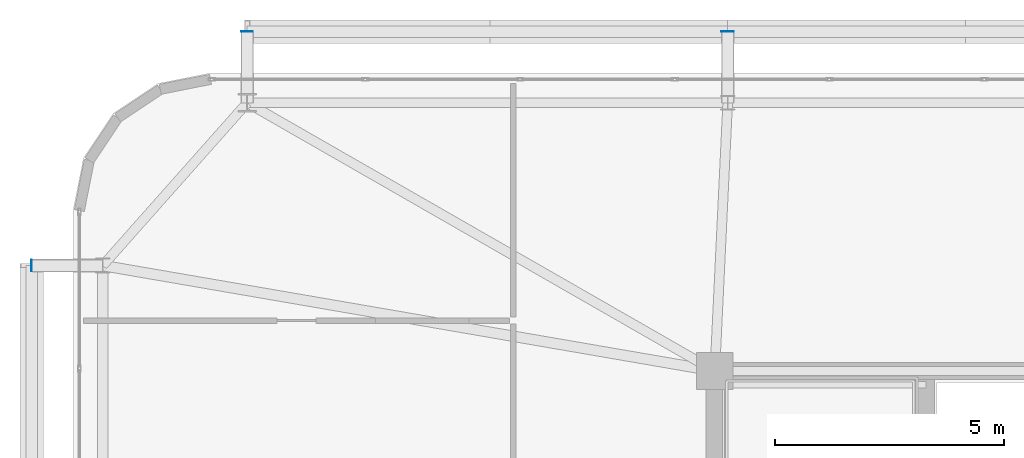
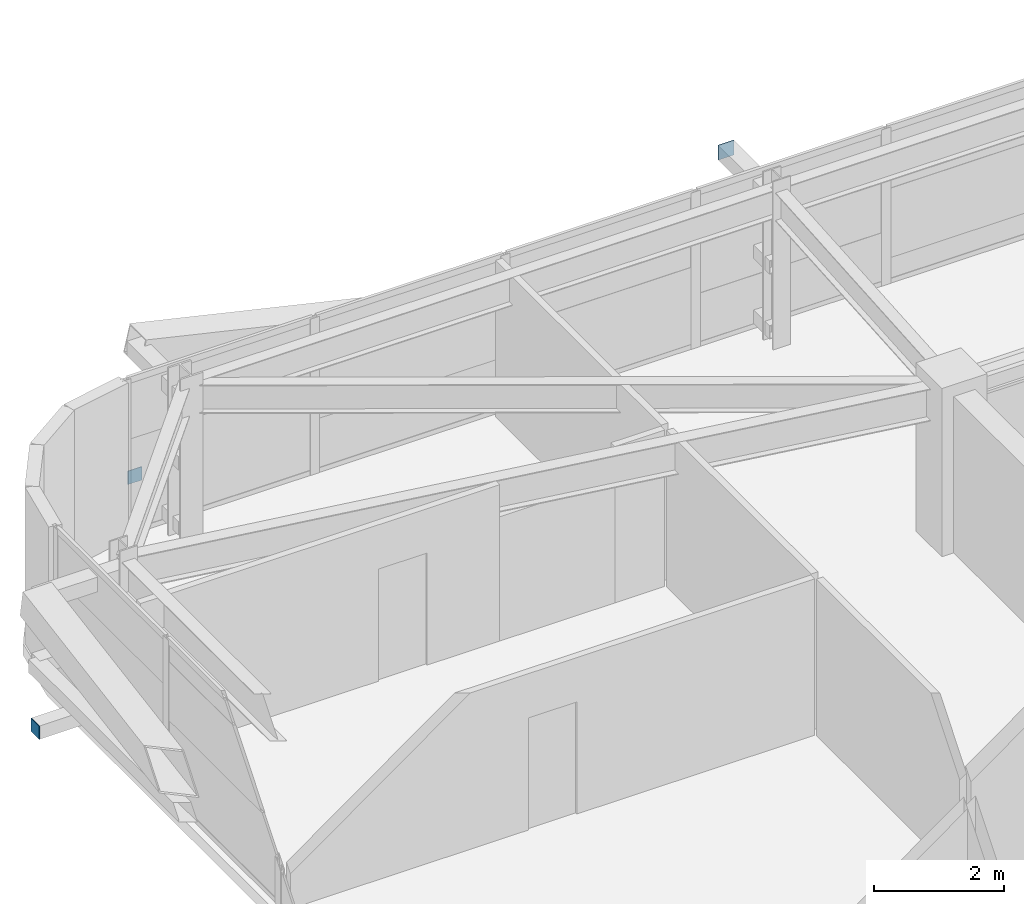
# One storey, part 49 of 59: 3 plates.
"""IFC4 building model written with IfcOpenShell, lengths in metres."""

from ifc_helpers import new_model, si_unit, direction, frame, origin, origin_2d, place, context, subcontext, project, spatial, rectangle, extrude, source, transform, mapped, material, layer, layer_set, type_object, element, save


model = new_model("IFC4")

# Units and contexts
model_context = context("Model", 3, precision=1e-05, world=origin(), true_north=direction((0.0, 1.0)))
body_context = subcontext(model_context, "Body", "Model", "MODEL_VIEW")
ifc_project = project(units=[si_unit("LENGTHUNIT", "METRE"), si_unit("AREAUNIT", "SQUARE_METRE"), si_unit("VOLUMEUNIT", "CUBIC_METRE"), si_unit("PLANEANGLEUNIT", "RADIAN"), si_unit("MASSUNIT", "GRAM", prefix="KILO")], contexts=[model_context])

# Site, building, storey
site_placement = place(None, origin())
site = spatial("IfcSite", under=ifc_project, at=site_placement, CompositionType="ELEMENT")
building_placement = place(site_placement, origin())
building = spatial("IfcBuilding", under=site, at=building_placement, Name="Taldren Reach Tower", CompositionType="ELEMENT")
storey_placement = place(building_placement, frame((0.0, 0.0, 19.949951171875)))
storey = spatial("IfcBuildingStorey", under=building, at=storey_placement, Name="L05", CompositionType="ELEMENT", Elevation=19.949951171875)

# Plates
ifc_material_1 = material(Name="Steel Gr 450 (C450L0)", Category="steel")
ifc_layer_1 = layer(ifc_material_1, 0.011962890625)
ifc_layer_set_1 = layer_set([ifc_layer_1], Name="Steel Gr 450 (C450L0)")
plate_type_1 = type_object("IfcPlateType", Name="PL-CAP-275", PredefinedType="SHEET", material=ifc_layer_set_1)
shared_shape_1 = source(origin(), body_context, "Body", "SweptSolid", [
    extrude(rectangle(XDim=0.27490234375, YDim=0.011962890625, at=origin_2d()), origin(), (0.0, 0.0, 1.0), 0.27490234375),
])
plate_1_placement = place(storey_placement, frame((19.280029296875, 39.406005859375, 2.5126953125), z_axis=(0.0, 0.0, 1.0), x_axis=(1.0, 0.0, 0.0)))
element("IfcPlate", 1, at=plate_1_placement, inside=storey, type_object=plate_type_1, Name="Tie strut end cap plate B1-N2 L05", PredefinedType="SHEET", context=body_context, shape_type="MappedRepresentation", body=[
    mapped(shared_shape_1, transform((0.0, 0.0, 0.0), scale=1.0)),
])
ifc_material_2 = material(Name="Steel Gr 350 (C350L0)", Category="steel")
ifc_layer_2 = layer(ifc_material_2, 0.011962890625)
ifc_layer_set_2 = layer_set([ifc_layer_2], Name="Steel Gr 350 (C350L0)")
plate_type_2 = type_object("IfcPlateType", Name="PL-CAP-250", PredefinedType="SHEET", material=ifc_layer_set_2)
shared_shape_2 = source(origin(), body_context, "Body", "SweptSolid", [
    extrude(rectangle(XDim=0.25, YDim=0.011962890625, at=origin_2d()), origin(), (0.0, 0.0, 1.0), 0.25),
])
plate_2_placement = place(storey_placement, frame((8.800048828125, 39.406005859375, 0.094970703125), z_axis=(0.0, 0.0, 1.0), x_axis=(1.0, 0.0, 0.0)))
element("IfcPlate", 2, at=plate_2_placement, inside=storey, type_object=plate_type_2, Name="Tie strut end cap plate B1-N1 L05", PredefinedType="SHEET", context=body_context, shape_type="MappedRepresentation", body=[
    mapped(shared_shape_2, transform((0.0, 0.0, 0.0), scale=1.0)),
])
shared_shape_3 = source(origin(), body_context, "Body", "SweptSolid", [
    extrude(rectangle(XDim=0.011962890625, YDim=0.25, at=origin_2d()), origin(), (0.0, 0.0, 1.0), 0.25),
])
plate_3_placement = place(storey_placement, frame((4.093994140625, 34.300048828125, 0.094970703125), z_axis=(0.0, 0.0, 1.0), x_axis=(1.0, 0.0, 0.0)))
element("IfcPlate", 3, at=plate_3_placement, inside=storey, type_object=plate_type_2, Name="Tie strut end cap plate B1-W3 L05", PredefinedType="SHEET", context=body_context, shape_type="MappedRepresentation", body=[
    mapped(shared_shape_3, transform((0.0, 0.0, 0.0), scale=1.0)),
])

save(model, "model.ifc")
